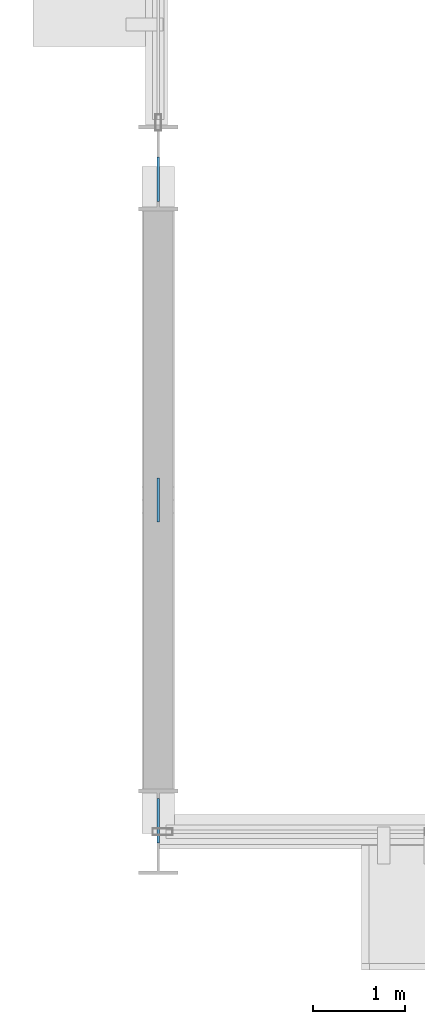
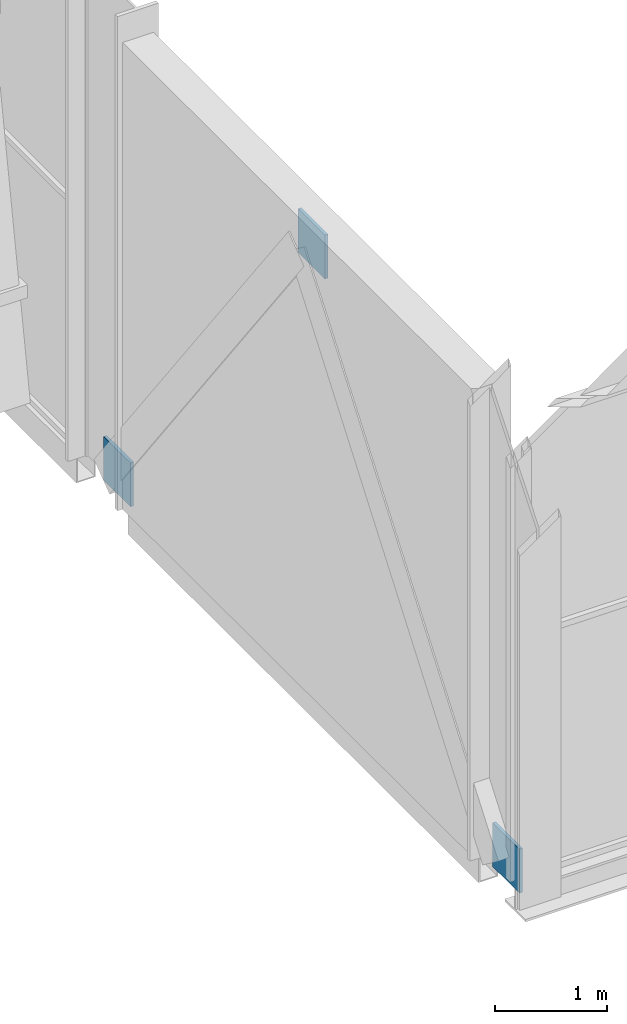
# One storey, part 123 of 189: 3 plates.
"""IFC4 building model written with IfcOpenShell, lengths in metres."""

from ifc_helpers import new_model, si_unit, direction, frame, origin, origin_2d, place, context, subcontext, project, spatial, rectangle, extrude, material, layer, layer_set, type_object, element, save


model = new_model("IFC4")

# Units and contexts
model_context = context("Model", 3, precision=1e-05, world=origin(), true_north=direction((0.0, 1.0)))
body_context = subcontext(model_context, "Body", "Model", "MODEL_VIEW")
ifc_project = project(units=[si_unit("LENGTHUNIT", "METRE"), si_unit("AREAUNIT", "SQUARE_METRE"), si_unit("VOLUMEUNIT", "CUBIC_METRE"), si_unit("PLANEANGLEUNIT", "RADIAN"), si_unit("MASSUNIT", "GRAM", prefix="KILO")], contexts=[model_context])

# Site, building, storey
site_placement = place(None, origin())
site = spatial("IfcSite", under=ifc_project, at=site_placement, CompositionType="ELEMENT")
building_placement = place(site_placement, origin())
building = spatial("IfcBuilding", under=site, at=building_placement, Name="Celestram Park Convention Centre", CompositionType="ELEMENT")
storey_placement = place(building_placement, frame((0.0, 0.0, 5.39990234375)))
storey = spatial("IfcBuildingStorey", under=building, at=storey_placement, Name="L01", CompositionType="ELEMENT", Elevation=5.39990234375)

# Plates
ifc_material = material(Name="Steel ASTM A572 Grade 50", Category="steel")
ifc_layer = layer(ifc_material, 0.031982421875)
ifc_layer_set = layer_set([ifc_layer], Name="Steel ASTM A572 Grade 50")
plate_type = type_object("IfcPlateType", Name="STR-PLT-GP32", PredefinedType="USERDEFINED", material=ifc_layer_set)
for number, where, z_axis, x_axis, name in (
    (1, (0.0, 25.199951171875, 4.510009765625), (0.0, 0.0, 1.0), (0.0, 1.0, 0.0), "Chevron brace apex gusset GP-L01-511"),
    (2, (0.0, 21.719970703125, -0.08984375), (0.0, 0.0, 1.0), (0.0, 1.0, 0.0), "Chevron brace base gusset GP-L01-512"),
    (3, (0.0, 28.679931640625, -0.08984375), (0.0, 0.0, 1.0), (0.0, 1.0, 0.0), "Chevron brace base gusset GP-L01-513"),
):
    element("IfcPlate", number, at=place(storey_placement, frame(where, z_axis=z_axis, x_axis=x_axis)), inside=storey, type_object=plate_type, Name=name, ObjectType="GUSSET_PLATE", PredefinedType="USERDEFINED", context=body_context, shape_type="SweptSolid", body=[
        extrude(rectangle(XDim=0.47998046875, YDim=0.031982421875, at=origin_2d()), origin(), (0.0, 0.0, 1.0), 0.47998046875),
    ])

save(model, "model.ifc")
